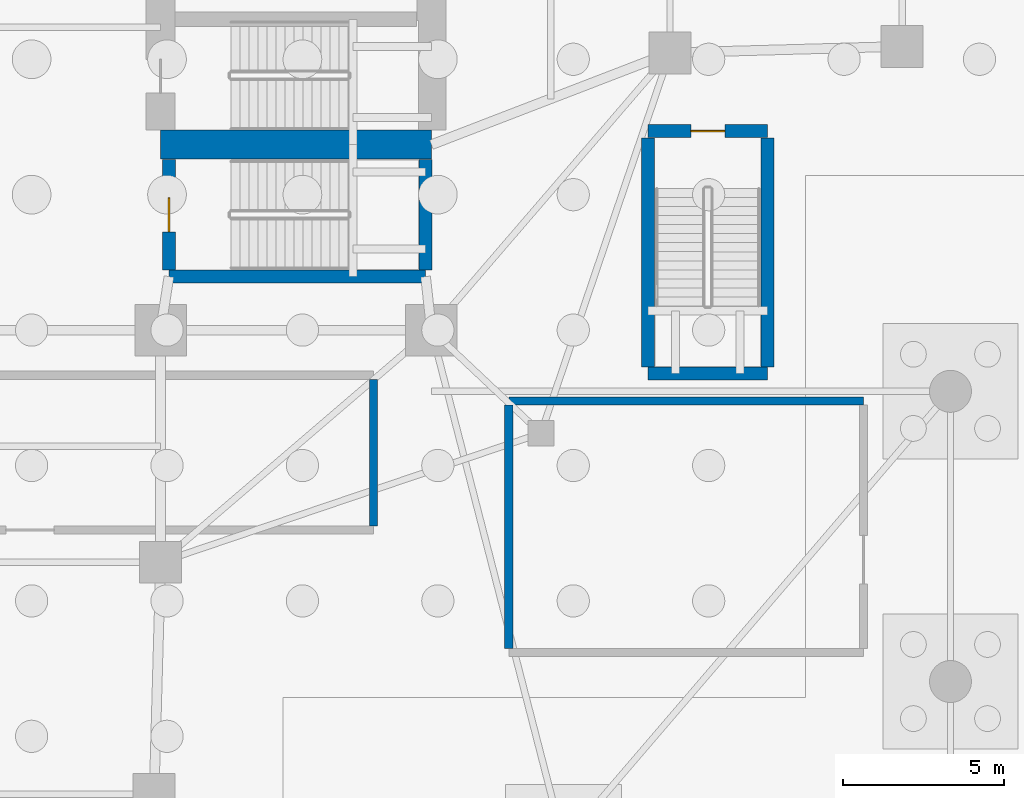
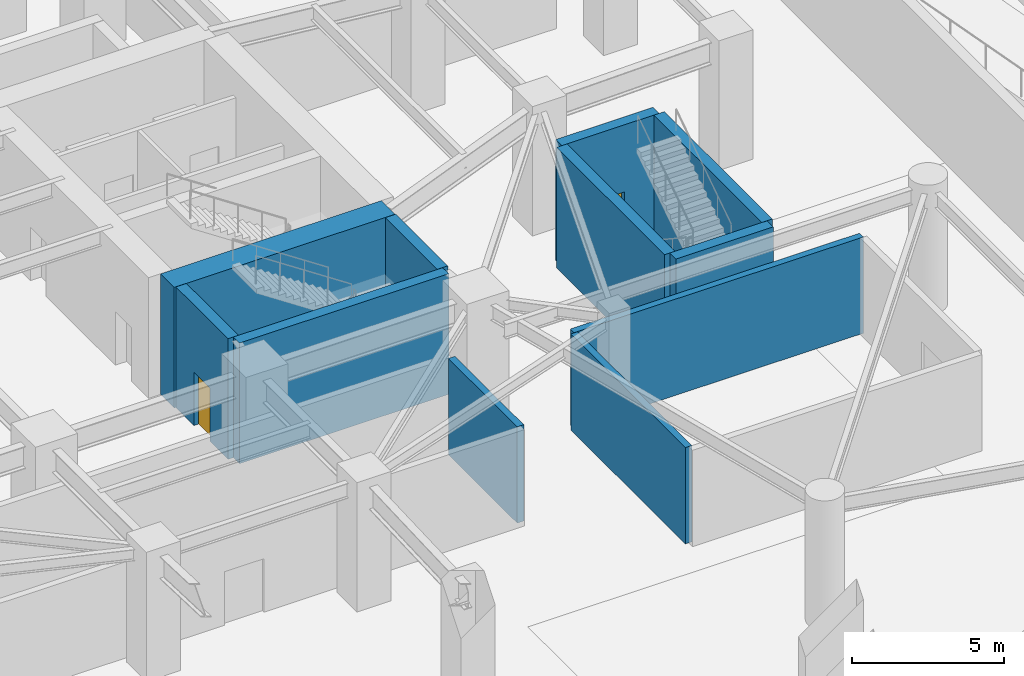
# One storey, part 5 of 14: 11 walls, 2 doors, 2 openings.
"""IFC4 building model written with IfcOpenShell, lengths in metres."""

import ifcopenshell
import ifcopenshell.guid

model = None  # the IFC model being written
_history = None  # IfcOwnerHistory: only IFC2X3 demands one
_inside = {}  # id of a spatial element -> (the spatial element, [elements in it])
_under = {}  # id of a project, library or spatial element -> (it, [spatial elements below it])
_declared = {}  # id of a project -> (the project, [libraries it declares])
_typed = {}  # id of a type object -> (the type object, [elements of that type])
_made_of = {}  # id of a material, layer set ... -> (it, [elements and type objects made of it])


def new_model(schema):
    """Start an empty IFC model of exactly this schema.

    Asked for "IFC4X3", IfcOpenShell would pick the latest addendum, in which some entities
    have other attributes; the version numbers below select the first issue.
    IFC2X3 requires an IfcOwnerHistory on every rooted entity: one is made here for all.
    """
    global model, _history
    if schema == "IFC4X3":
        model = ifcopenshell.file(schema_version=(4, 3, 0, 0))
    else:
        model = ifcopenshell.file(schema=schema)
    _inside.clear()
    _under.clear()
    _declared.clear()
    _typed.clear()
    _made_of.clear()
    _history = None
    if model.schema == "IFC2X3":
        org = make("IfcOrganization", Name="unknown")
        user = make(
            "IfcPersonAndOrganization",
            ThePerson=make("IfcPerson", FamilyName="unknown"),
            TheOrganization=org,
        )
        app = make(
            "IfcApplication",
            ApplicationDeveloper=org,
            Version="unknown",
            ApplicationFullName="unknown",
            ApplicationIdentifier="unknown",
        )
        _history = make(
            "IfcOwnerHistory",
            OwningUser=user,
            OwningApplication=app,
            ChangeAction="ADDED",
            CreationDate=0,
        )
    return model


def make(cls, **values):
    """One entity of the class cls with the attributes given. An attribute that is None is left unset."""
    return model.create_entity(
        cls, **{name: value for name, value in values.items() if value is not None}
    )


def rooted(cls, **values):
    """An entity with a GlobalId (a new one), such as an element, a storey or a relation."""
    return make(cls, GlobalId=ifcopenshell.guid.new(), OwnerHistory=_history, **values)


def si_unit(unit_type, name, prefix=None):
    """IfcSIUnit, for example si_unit("LENGTHUNIT", "METRE", prefix="MILLI")."""
    return make("IfcSIUnit", UnitType=unit_type, Prefix=prefix, Name=name)


def assignment(units):
    """IfcUnitAssignment: the units of a project."""
    return None if units is None else make("IfcUnitAssignment", Units=units)


def point(xyz):
    """IfcCartesianPoint."""
    return None if xyz is None else make("IfcCartesianPoint", Coordinates=xyz)


def direction(xyz):
    """IfcDirection."""
    return None if xyz is None else make("IfcDirection", DirectionRatios=xyz)


def frame(location, z_axis=None, x_axis=None):
    """IfcAxis2Placement3D, a coordinate frame: its origin and axes. An axis left out is left unset."""
    return make(
        "IfcAxis2Placement3D",
        Location=point(location),
        Axis=direction(z_axis),
        RefDirection=direction(x_axis),
    )


def frame_2d(location, x_axis=None):
    """IfcAxis2Placement2D, a coordinate frame in the plane: its origin and x axis."""
    return make(
        "IfcAxis2Placement2D", Location=point(location), RefDirection=direction(x_axis)
    )


def origin():
    """The frame at (0, 0, 0) with its axes left unset."""
    return frame((0.0, 0.0, 0.0))


def place(relative_to, where):
    """IfcLocalPlacement: puts the frame where relative to a parent placement (None: the world)."""
    return make(
        "IfcLocalPlacement", PlacementRelTo=relative_to, RelativePlacement=where
    )


def context(
    kind, dimensions, precision=None, world=None, true_north=None, identifier=None
):
    """IfcGeometricRepresentationContext, for example the 3D "Model" context."""
    return make(
        "IfcGeometricRepresentationContext",
        ContextIdentifier=identifier,
        ContextType=kind,
        CoordinateSpaceDimension=dimensions,
        Precision=precision,
        WorldCoordinateSystem=world,
        TrueNorth=true_north,
    )


def subcontext(parent, identifier, kind, view, scale=None):
    """IfcGeometricRepresentationSubContext, for example "Body" below "Model"."""
    return make(
        "IfcGeometricRepresentationSubContext",
        ContextIdentifier=identifier,
        ContextType=kind,
        ParentContext=parent,
        TargetScale=scale,
        TargetView=view,
    )


def project(units=None, contexts=None):
    """IfcProject with its units and contexts."""
    return rooted(
        "IfcProject",
        Name="project",
        RepresentationContexts=contexts,
        UnitsInContext=assignment(units),
    )


def spatial(cls, under=None, at=None, **own):
    """A site, building, storey or space (cls), placed at a placement, below another one or the project."""
    s = rooted(cls, ObjectPlacement=at, **own)
    if under is not None:
        _under.setdefault(under.id(), (under, []))[1].append(s)
    return s


def profile(cls, at=None, kind="AREA", **sizes):
    """A parametric profile (cls). Its sizes go by their IFC names, for example OverallWidth=200.0."""
    return make(cls, ProfileType=kind, Position=at, **sizes)


def rectangle(**sizes):
    """IfcRectangleProfileDef."""
    return profile("IfcRectangleProfileDef", **sizes)


def extrude(swept, where, along, depth):
    """IfcExtrudedAreaSolid: the profile swept, set in the frame where, extruded along a direction by depth."""
    return make(
        "IfcExtrudedAreaSolid",
        SweptArea=swept,
        Position=where,
        ExtrudedDirection=direction(along),
        Depth=depth,
    )


def shape(context_of_items, identifier, shape_type, items):
    """IfcShapeRepresentation: the items that make up one representation, for example the "Body"."""
    return make(
        "IfcShapeRepresentation",
        ContextOfItems=context_of_items,
        RepresentationIdentifier=identifier,
        RepresentationType=shape_type,
        Items=items,
    )


def material(Name=None, Category=None):
    """IfcMaterial."""
    return make("IfcMaterial", Name=Name, Category=Category)


def layer(
    of_material, thickness, ventilated=None, Name=None, Category=None, Priority=None
):
    """IfcMaterialLayer: one layer of a wall or slab, of a material (None: an air gap)."""
    return make(
        "IfcMaterialLayer",
        Material=of_material,
        LayerThickness=thickness,
        IsVentilated=ventilated,
        Name=Name,
        Category=Category,
        Priority=Priority,
    )


def layer_set(layers, Name=None):
    """IfcMaterialLayerSet."""
    return make("IfcMaterialLayerSet", MaterialLayers=layers, LayerSetName=Name)


def made_of(thing, what):
    """Note that an element or type object is made of a material, layer set ...; save() writes the relation."""
    if what is not None:
        _made_of.setdefault(what.id(), (what, []))[1].append(thing)
    return thing


def type_object(cls, material=None, **own):
    """A type object (cls), such as IfcWallType, which elements share."""
    return made_of(rooted(cls, **own), material)


def element(
    cls,
    number,
    at=None,
    inside=None,
    cuts=None,
    type_object=None,
    material=None,
    context=None,
    identifier="Body",
    shape_type=None,
    held_by="IfcProductDefinitionShape",
    body=None,
    shapes=None,
    **own,
):
    """One element of the class cls, such as IfcWall. Its Tag is "e" and its number.

    at: its placement. inside: the storey or other place that contains it. cuts: it is an
    opening in that element (IfcRelVoidsElement). A single representation is given by context,
    identifier, shape_type and body (its items); several are given by shapes. held_by: the class
    of the entity that holds the representations. save() writes the other relations.
    """
    e = rooted(cls, Tag="e%d" % number, ObjectPlacement=at, **own)
    if body is not None:
        shapes = [shape(context, identifier, shape_type, body)]
    if shapes is not None:
        e.Representation = make(held_by, Representations=shapes)
    if inside is not None:
        _inside.setdefault(inside.id(), (inside, []))[1].append(e)
    if cuts is not None:
        rooted(
            "IfcRelVoidsElement", RelatingBuildingElement=cuts, RelatedOpeningElement=e
        )
    if type_object is not None:
        _typed.setdefault(type_object.id(), (type_object, []))[1].append(e)
    return made_of(e, material)


def fill(opening, filler):
    """IfcRelFillsElement: the door or window that sits in an opening."""
    return rooted(
        "IfcRelFillsElement",
        RelatingOpeningElement=opening,
        RelatedBuildingElement=filler,
    )


def aggregate(whole, parts):
    """IfcRelAggregates: a whole, such as a stair, and the parts it consists of."""
    return rooted("IfcRelAggregates", RelatingObject=whole, RelatedObjects=parts)


def save(model, path):
    """Write the relations noted so far, then the file.

    IfcRelAggregates (storeys below a building ...), IfcRelContainedInSpatialStructure (elements
    in a storey), IfcRelDefinesByType, IfcRelAssociatesMaterial and IfcRelDeclares: one each for
    every whole, place, type object, material and project.
    """
    for whole, parts in _under.values():
        aggregate(whole, parts)
    for where, things in _inside.values():
        rooted(
            "IfcRelContainedInSpatialStructure",
            RelatedElements=things,
            RelatingStructure=where,
        )
    for kind, things in _typed.values():
        rooted("IfcRelDefinesByType", RelatedObjects=things, RelatingType=kind)
    for what, things in _made_of.values():
        rooted("IfcRelAssociatesMaterial", RelatedObjects=things, RelatingMaterial=what)
    for by, libraries in _declared.values():
        rooted("IfcRelDeclares", RelatingContext=by, RelatedDefinitions=libraries)
    model.write(path)


model = new_model("IFC4")

# Units and contexts
model_context = context("Model", 3, precision=1e-05, world=origin(), true_north=direction((0.0, 1.0)))
body_context = subcontext(model_context, "Body", "Model", "MODEL_VIEW")
ifc_project = project(units=[si_unit("LENGTHUNIT", "METRE"), si_unit("AREAUNIT", "SQUARE_METRE"), si_unit("VOLUMEUNIT", "CUBIC_METRE"), si_unit("PLANEANGLEUNIT", "RADIAN"), si_unit("MASSUNIT", "GRAM", prefix="KILO")], contexts=[model_context])

# Site, building, storey
site_placement = place(None, origin())
site = spatial("IfcSite", under=ifc_project, at=site_placement, CompositionType="ELEMENT")
building_placement = place(site_placement, origin())
building = spatial("IfcBuilding", under=site, at=building_placement, Name="Qingluan Cross Belvedere", CompositionType="ELEMENT")
storey_placement = place(building_placement, frame((0.0, 0.0, -10.39990234375)))
storey = spatial("IfcBuildingStorey", under=building, at=storey_placement, Name="B2", CompositionType="ELEMENT", Elevation=-10.39990234375)

# Wall
ifc_material_1 = material(Name="Concrete C50", Category="concrete")
ifc_layer_1 = layer(ifc_material_1, 0.449951171875, Name="CoreShearWall_450")
ifc_layer_set_1 = layer_set([ifc_layer_1], Name="Concrete C50")
wall_type_1 = type_object("IfcWallType", Name="CoreShearWall_450", PredefinedType="SHEAR", material=ifc_layer_set_1)
wall_1_placement = place(storey_placement, frame((4.260009765625, -10.93994140625, 0.0), z_axis=(0.0, 0.0, 1.0), x_axis=(1.0, 0.0, 0.0)))
element("IfcWall", 1, at=wall_1_placement, inside=storey, type_object=wall_type_1, Name="Stair ST4 structural wall S B2", PredefinedType="SHEAR", context=body_context, shape_type="SweptSolid", body=[
    extrude(rectangle(XDim=7.9599609375, YDim=0.39990234375, at=frame_2d((3.97998046875, 0.0))), origin(), (0.0, 0.0, 1.0), 4.849853515625),
])

# Wall, opening, door
wall_2_placement = place(storey_placement, frame((4.260009765625, -10.735107421875, 0.0), z_axis=(0.0, 0.0, 1.0), x_axis=(0.0, 1.0, 0.0)))
wall_2 = element("IfcWall", 2, at=wall_2_placement, inside=storey, type_object=wall_type_1, Name="Stair ST4 structural wall W B2", PredefinedType="SHEAR", context=body_context, shape_type="SweptSolid", body=[
    extrude(rectangle(XDim=3.43017578125, YDim=0.39990234375, at=frame_2d((1.715087890625, 0.0))), origin(), (0.0, 0.0, 1.0), 4.849853515625),
])
opening_1_placement = place(wall_2_placement, frame((1.18505859375, 0.0, 0.0)))
opening_1 = element("IfcOpeningElement", 3, at=opening_1_placement, cuts=wall_2, Name="Opening FD-B11", PredefinedType="OPENING", context=body_context, shape_type="SweptSolid", body=[
    extrude(rectangle(XDim=1.050048828125, YDim=2.14990234375, at=frame_2d((0.52490234375, 1.074951171875))), frame((0.0, 0.2099609375, 0.0), z_axis=(0.0, -1.0, 0.0), x_axis=(1.0, 0.0, 0.0)), (0.0, 0.0, 1.0), 0.419921875),
])
ifc_material_2 = material(Name="Steel Class B smoke-seal fire door", Category="steel")
door_type = type_object("IfcDoorType", Name="StairLobbyFireDoor_FDB", OperationType="NOTDEFINED", PredefinedType="DOOR", material=ifc_material_2)
door_1_placement = place(opening_1_placement, origin())
door_1 = element("IfcDoor", 4, at=door_1_placement, inside=storey, type_object=door_type, Name="Smoke-proof stair ST4 fire door B2", OperationType="SINGLE_SWING_LEFT", OverallHeight=2.14990234375, OverallWidth=1.050048828125, PredefinedType="DOOR", context=body_context, shape_type="SweptSolid", body=[
    extrude(rectangle(XDim=1.050048828125, YDim=2.14990234375, at=frame_2d((0.52490234375, 1.074951171875))), frame((0.0, 0.02490234375, 0.0), z_axis=(0.0, -1.0, 0.0), x_axis=(1.0, 0.0, 0.0)), (0.0, 0.0, 1.0), 0.050048828125),
])
fill(opening_1, door_1)

# Wall
wall_3_placement = place(storey_placement, frame((12.219970703125, -10.735107421875, 0.0), z_axis=(0.0, 0.0, 1.0), x_axis=(0.0, 1.0, 0.0)))
element("IfcWall", 5, at=wall_3_placement, inside=storey, type_object=wall_type_1, Name="Stair ST4 structural wall E B2", PredefinedType="SHEAR", context=body_context, shape_type="SweptSolid", body=[
    extrude(rectangle(XDim=3.43017578125, YDim=0.39990234375, at=frame_2d((1.715087890625, 0.0))), origin(), (0.0, 0.0, 1.0), 4.849853515625),
])

# Wall, opening, door
wall_4_placement = place(storey_placement, frame((19.1201171875, -6.429931640625, 0.0), z_axis=(0.0, 0.0, 1.0), x_axis=(1.0, 0.0, 0.0)))
wall_4 = element("IfcWall", 6, at=wall_4_placement, inside=storey, type_object=wall_type_1, Name="Stair ST6 structural wall N B2", PredefinedType="SHEAR", context=body_context, shape_type="SweptSolid", body=[
    extrude(rectangle(XDim=3.699951171875, YDim=0.39990234375, at=frame_2d((1.85009765625, 0.0))), origin(), (0.0, 0.0, 1.0), 4.849853515625),
])
opening_2_placement = place(wall_4_placement, frame((1.330078125, 0.0, 0.0)))
opening_2 = element("IfcOpeningElement", 7, at=opening_2_placement, cuts=wall_4, Name="Opening FD-B11", PredefinedType="OPENING", context=body_context, shape_type="SweptSolid", body=[
    extrude(rectangle(XDim=1.050048828125, YDim=2.14990234375, at=frame_2d((0.52490234375, 1.074951171875))), frame((0.0, 0.2099609375, 0.0), z_axis=(0.0, -1.0, 0.0), x_axis=(1.0, 0.0, 0.0)), (0.0, 0.0, 1.0), 0.419921875),
])
door_2_placement = place(opening_2_placement, origin())
door_2 = element("IfcDoor", 8, at=door_2_placement, inside=storey, type_object=door_type, Name="Podium stair ST6 smoke-proof fire door B2", OperationType="SINGLE_SWING_LEFT", OverallHeight=2.14990234375, OverallWidth=1.050048828125, PredefinedType="DOOR", context=body_context, shape_type="SweptSolid", body=[
    extrude(rectangle(XDim=1.050048828125, YDim=2.14990234375, at=frame_2d((0.52490234375, 1.074951171875))), frame((0.0, 0.02490234375, 0.0), z_axis=(0.0, -1.0, 0.0), x_axis=(1.0, 0.0, 0.0)), (0.0, 0.0, 1.0), 0.050048828125),
])
fill(opening_2, door_2)

# Walls
wall_5_placement = place(storey_placement, frame((19.1201171875, -13.949951171875, 0.0), z_axis=(0.0, 0.0, 1.0), x_axis=(1.0, 0.0, 0.0)))
element("IfcWall", 9, at=wall_5_placement, inside=storey, type_object=wall_type_1, Name="Stair ST6 structural wall S B2", PredefinedType="SHEAR", context=body_context, shape_type="SweptSolid", body=[
    extrude(rectangle(XDim=3.699951171875, YDim=0.39990234375, at=frame_2d((1.85009765625, 0.0))), origin(), (0.0, 0.0, 1.0), 4.849853515625),
])
for number, where, z_axis, x_axis, name in (
    (10, (19.1201171875, -13.7451171875, 0.0), (0.0, 0.0, 1.0), (0.0, 1.0, 0.0), "Stair ST6 structural wall W B2"),
    (11, (22.820068359375, -13.7451171875, 0.0), (0.0, 0.0, 1.0), (0.0, 1.0, 0.0), "Stair ST6 structural wall E B2"),
):
    element("IfcWall", number, at=place(storey_placement, frame(where, z_axis=z_axis, x_axis=x_axis)), inside=storey, type_object=wall_type_1, Name=name, PredefinedType="SHEAR", context=body_context, shape_type="SweptSolid", body=[
        extrude(rectangle(XDim=7.110107421875, YDim=0.39990234375, at=frame_2d((3.55517578125, 0.0))), origin(), (0.0, 0.0, 1.0), 4.849853515625),
    ])
ifc_material_3 = material(Name="Concrete C70", Category="concrete")
ifc_layer_2 = layer(ifc_material_3, 0.89990234375, Name="CoreShearWall_900")
ifc_layer_set_2 = layer_set([ifc_layer_2], Name="Concrete C70")
wall_type_2 = type_object("IfcWallType", Name="CoreShearWall_900", PredefinedType="SHEAR", material=ifc_layer_set_2)
wall_6_placement = place(storey_placement, frame((4.0, -6.85009765625, 0.0), z_axis=(0.0, 0.0, 1.0), x_axis=(1.0, 0.0, 0.0)))
element("IfcWall", 12, at=wall_6_placement, inside=storey, type_object=wall_type_2, Name="Split core E shear wall B2-S", PredefinedType="SHEAR", context=body_context, shape_type="SweptSolid", body=[
    extrude(rectangle(XDim=8.39990234375, YDim=0.89990234375, at=frame_2d((4.199951171875, 0.0))), origin(), (0.0, 0.0, 1.0), 4.849853515625),
])
ifc_material_4 = material(Name="Concrete C40", Category="concrete")
ifc_layer_3 = layer(ifc_material_4, 0.300048828125, Name="FireCompartmentWall_300")
ifc_layer_set_3 = layer_set([ifc_layer_3], Name="Concrete C40")
wall_type_3 = type_object("IfcWallType", Name="FireCompartmentWall_300", PredefinedType="SOLIDWALL", material=ifc_layer_set_3)
wall_7_placement = place(storey_placement, frame((14.800048828125, -14.800048828125, 0.0), z_axis=(0.0, 0.0, 1.0), x_axis=(1.0, 0.0, 0.0)))
element("IfcWall", 13, at=wall_7_placement, inside=storey, type_object=wall_type_3, Name="Partition B2:fire_tank_pump:N", PredefinedType="SOLIDWALL", context=body_context, shape_type="SweptSolid", body=[
    extrude(rectangle(XDim=11.0, YDim=0.25, at=frame_2d((5.5, 0.0))), origin(), (0.0, 0.0, 1.0), 3.869873046875),
])
wall_8_placement = place(storey_placement, frame((14.800048828125, -22.469970703125, 0.0), z_axis=(0.0, 0.0, 1.0), x_axis=(0.0, 1.0, 0.0)))
element("IfcWall", 14, at=wall_8_placement, inside=storey, type_object=wall_type_3, Name="Partition B2:fire_tank_pump:W", PredefinedType="SOLIDWALL", context=body_context, shape_type="SweptSolid", body=[
    extrude(rectangle(XDim=7.5400390625, YDim=0.25, at=frame_2d((3.77001953125, 0.0))), origin(), (0.0, 0.0, 1.0), 3.869873046875),
])
wall_9_placement = place(storey_placement, frame((10.60009765625, -18.669921875, 0.0), z_axis=(0.0, 0.0, 1.0), x_axis=(0.0, 1.0, 0.0)))
element("IfcWall", 15, at=wall_9_placement, inside=storey, type_object=wall_type_3, Name="Partition B2:fire_tank_s:E", PredefinedType="SOLIDWALL", context=body_context, shape_type="SweptSolid", body=[
    extrude(rectangle(XDim=4.5400390625, YDim=0.25, at=frame_2d((2.27001953125, 0.0))), origin(), (0.0, 0.0, 1.0), 3.869873046875),
])

save(model, "model.ifc")
